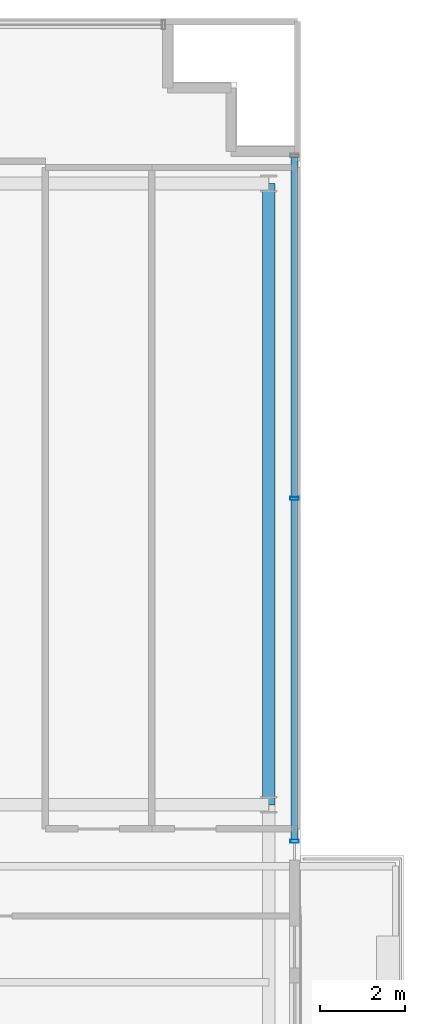
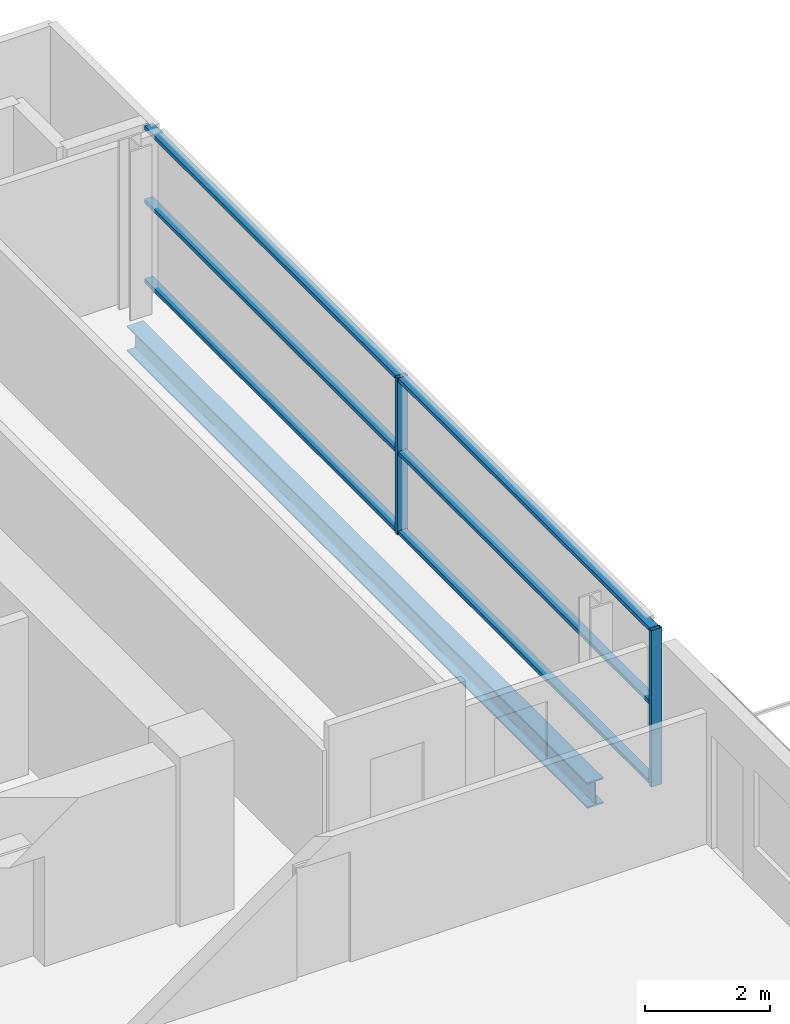
# One storey, part 11 of 23: 8 members, 1 beam, 1 element without a shape of its own.
"""IFC4 building model written with IfcOpenShell, lengths in metres."""

from ifc_helpers import new_model, si_unit, direction, frame, origin, origin_2d, place, context, subcontext, project, spatial, hollow_rectangle, i_section, extrude, source, transform, mapped, material, layer, layer_set, material_profile, profile_set, type_object, element, aggregate, save


model = new_model("IFC4")

# Units and contexts
model_context = context("Model", 3, precision=1e-05, world=origin(), true_north=direction((0.0, 1.0)))
body_context = subcontext(model_context, "Body", "Model", "MODEL_VIEW")
ifc_project = project(units=[si_unit("LENGTHUNIT", "METRE"), si_unit("AREAUNIT", "SQUARE_METRE"), si_unit("VOLUMEUNIT", "CUBIC_METRE"), si_unit("PLANEANGLEUNIT", "RADIAN"), si_unit("MASSUNIT", "GRAM", prefix="KILO")], contexts=[model_context])

# Site, building, storey
site_placement = place(None, origin())
site = spatial("IfcSite", under=ifc_project, at=site_placement, CompositionType="ELEMENT")
building_placement = place(site_placement, origin())
building = spatial("IfcBuilding", under=site, at=building_placement, Name="Zarnakvel Exchange Tower", CompositionType="ELEMENT")
storey_placement = place(building_placement, frame((0.0, 0.0, 149.5)))
storey = spatial("IfcBuildingStorey", under=building, at=storey_placement, Name="L41", CompositionType="ELEMENT", Elevation=149.5)

# Beam
ifc_material_1 = material(Name="Steel S355", Category="steel")
ifc_material_profile_1 = material_profile(ifc_material_1, i_section(OverallWidth=0.300048828125, OverallDepth=0.5, WebThickness=0.014404296875, FlangeThickness=0.028076171875, FilletRadius=0.027099609375, at=origin_2d()))
ifc_profile_set_1 = profile_set([ifc_material_profile_1], Name="Steel S355")
beam_type = type_object("IfcBeamType", Name="SP-02", PredefinedType="SPANDREL", material=ifc_profile_set_1)
beam_placement = place(storey_placement, frame((21.85009765625, -1.199951171875, -0.47509765625), z_axis=(0.0, 1.0, 0.0), x_axis=(-1.0, 0.0, 0.0)))
element("IfcBeam", 1, at=beam_placement, inside=storey, type_object=beam_type, Name="L41 Tower N-S Frame Beam", PredefinedType="SPANDREL", context=body_context, shape_type="SweptSolid", body=[
    extrude(i_section(OverallWidth=0.300048828125, OverallDepth=0.5, WebThickness=0.014404296875, FlangeThickness=0.028076171875, FilletRadius=0.027099609375, at=origin_2d()), origin(), (0.0, 0.0, 1.0), 14.699951171875),
])

# Curtain wall, members
ifc_material_2 = material(Name="Architectural Bronze Anodised Aluminium", Category="aluminium")
ifc_layer = layer(ifc_material_2, 0.199951171875)
ifc_layer_set = layer_set([ifc_layer], Name="Architectural Bronze Anodised Aluminium")
curtain_wall_type = type_object("IfcCurtainWallType", Name="CW-04", PredefinedType="NOTDEFINED", material=ifc_layer_set)
curtain_wall_placement = place(storey_placement, origin())
curtain_wall = element("IfcCurtainWall", 2, at=curtain_wall_placement, inside=storey, type_object=curtain_wall_type, Name="L41 Curtain Wall CW-L41-EN (CW-04)", PredefinedType="NOTDEFINED")
ifc_material_profile_2 = material_profile(ifc_material_2, hollow_rectangle(XDim=0.199951171875, YDim=0.074951171875, WallThickness=0.0048828125, at=origin_2d()))
ifc_profile_set_2 = profile_set([ifc_material_profile_2], Name="Architectural Bronze Anodised Aluminium")
member_type_1 = type_object("IfcMemberType", Name="CWM-04", PredefinedType="MULLION", material=ifc_profile_set_2)
shared_shape_1 = source(origin(), body_context, "Body", "SweptSolid", [
    extrude(hollow_rectangle(XDim=0.199951171875, YDim=0.074951171875, WallThickness=0.0048828125, at=origin_2d()), origin(), (0.0, 0.0, 1.0), 3.054931640625),
])
member_1_placement = place(storey_placement, frame((22.4599609375, -2.0625, 0.0), z_axis=(0.0, 0.0, 1.0), x_axis=(-1.0, 0.0, 0.0)))
member_1 = element("IfcMember", 3, at=member_1_placement, type_object=member_type_1, Name="CW-04 mullion 1", PredefinedType="MULLION", context=body_context, shape_type="MappedRepresentation", body=[
    mapped(shared_shape_1, transform((0.0, 0.0, 0.0), x_axis=(1.0, 0.0, 0.0), y_axis=(0.0, 1.0, 0.0), z_axis=(0.0, 0.0, 1.0), scale=1.0)),
])
member_2_placement = place(storey_placement, frame((22.4599609375, 6.050048828125, 0.0), z_axis=(0.0, 0.0, 1.0), x_axis=(-1.0, 0.0, 0.0)))
member_2 = element("IfcMember", 4, at=member_2_placement, type_object=member_type_1, Name="CW-04 mullion 2", PredefinedType="MULLION", context=body_context, shape_type="MappedRepresentation", body=[
    mapped(shared_shape_1, transform((0.0, 0.0, 0.0), x_axis=(1.0, 0.0, 0.0), y_axis=(0.0, 1.0, 0.0), z_axis=(0.0, 0.0, 1.0), scale=1.0)),
])
ifc_material_profile_3 = material_profile(ifc_material_2, hollow_rectangle(XDim=0.159912109375, YDim=0.074951171875, WallThickness=0.00390625, at=origin_2d()))
ifc_profile_set_3 = profile_set([ifc_material_profile_3], Name="Architectural Bronze Anodised Aluminium")
member_type_2 = type_object("IfcMemberType", Name="CWT-04", PredefinedType="USERDEFINED", material=ifc_profile_set_3)
shared_shape_2 = source(origin(), body_context, "Body", "SweptSolid", [
    extrude(hollow_rectangle(XDim=0.159912109375, YDim=0.074951171875, WallThickness=0.00390625, at=origin_2d()), origin(), (0.0, 0.0, 1.0), 8.037353515625),
])
member_3_placement = place(storey_placement, frame((22.4599609375, -2.02490234375, 0.03759765625), z_axis=(0.0, 1.0, 0.0), x_axis=(-1.0, 0.0, 0.0)))
member_3 = element("IfcMember", 5, at=member_3_placement, type_object=member_type_2, Name="CW-04 transom 1.1", ObjectType="TRANSOM", PredefinedType="USERDEFINED", context=body_context, shape_type="MappedRepresentation", body=[
    mapped(shared_shape_2, transform((0.0, 0.0, 0.0), x_axis=(1.0, 0.0, 0.0), y_axis=(0.0, 1.0, 0.0), z_axis=(0.0, 0.0, 1.0), scale=1.0)),
])
member_4_placement = place(storey_placement, frame((22.4599609375, -2.02490234375, 1.588623046875), z_axis=(0.0, 1.0, 0.0), x_axis=(-1.0, 0.0, 0.0)))
member_4 = element("IfcMember", 6, at=member_4_placement, type_object=member_type_2, Name="CW-04 transom 1.2", ObjectType="TRANSOM", PredefinedType="USERDEFINED", context=body_context, shape_type="MappedRepresentation", body=[
    mapped(shared_shape_2, transform((0.0, 0.0, 0.0), x_axis=(1.0, 0.0, 0.0), y_axis=(0.0, 1.0, 0.0), z_axis=(0.0, 0.0, 1.0), scale=1.0)),
])
member_5_placement = place(storey_placement, frame((22.4599609375, -2.02490234375, 3.017578125), z_axis=(0.0, 1.0, 0.0), x_axis=(-1.0, 0.0, 0.0)))
member_5 = element("IfcMember", 7, at=member_5_placement, type_object=member_type_2, Name="CW-04 transom 1.3", ObjectType="TRANSOM", PredefinedType="USERDEFINED", context=body_context, shape_type="MappedRepresentation", body=[
    mapped(shared_shape_2, transform((0.0, 0.0, 0.0), x_axis=(1.0, 0.0, 0.0), y_axis=(0.0, 1.0, 0.0), z_axis=(0.0, 0.0, 1.0), scale=1.0)),
])
shared_shape_3 = source(origin(), body_context, "Body", "SweptSolid", [
    extrude(hollow_rectangle(XDim=0.159912109375, YDim=0.074951171875, WallThickness=0.00390625, at=origin_2d()), origin(), (0.0, 0.0, 1.0), 8.03759765625),
])
member_6_placement = place(storey_placement, frame((22.4599609375, 6.08740234375, 0.03759765625), z_axis=(0.0, 1.0, 0.0), x_axis=(-1.0, 0.0, 0.0)))
member_6 = element("IfcMember", 8, at=member_6_placement, type_object=member_type_2, Name="CW-04 transom 2.1", ObjectType="TRANSOM", PredefinedType="USERDEFINED", context=body_context, shape_type="MappedRepresentation", body=[
    mapped(shared_shape_3, transform((0.0, 0.0, 0.0), x_axis=(1.0, 0.0, 0.0), y_axis=(0.0, 1.0, 0.0), z_axis=(0.0, 0.0, 1.0), scale=1.0)),
])
member_7_placement = place(storey_placement, frame((22.4599609375, 6.08740234375, 1.588623046875), z_axis=(0.0, 1.0, 0.0), x_axis=(-1.0, 0.0, 0.0)))
member_7 = element("IfcMember", 9, at=member_7_placement, type_object=member_type_2, Name="CW-04 transom 2.2", ObjectType="TRANSOM", PredefinedType="USERDEFINED", context=body_context, shape_type="MappedRepresentation", body=[
    mapped(shared_shape_3, transform((0.0, 0.0, 0.0), x_axis=(1.0, 0.0, 0.0), y_axis=(0.0, 1.0, 0.0), z_axis=(0.0, 0.0, 1.0), scale=1.0)),
])
member_8_placement = place(storey_placement, frame((22.4599609375, 6.08740234375, 3.017578125), z_axis=(0.0, 1.0, 0.0), x_axis=(-1.0, 0.0, 0.0)))
member_8 = element("IfcMember", 10, at=member_8_placement, type_object=member_type_2, Name="CW-04 transom 2.3", ObjectType="TRANSOM", PredefinedType="USERDEFINED", context=body_context, shape_type="MappedRepresentation", body=[
    mapped(shared_shape_3, transform((0.0, 0.0, 0.0), x_axis=(1.0, 0.0, 0.0), y_axis=(0.0, 1.0, 0.0), z_axis=(0.0, 0.0, 1.0), scale=1.0)),
])
aggregate(curtain_wall, [member_1, member_2, member_3, member_4, member_5, member_6, member_7, member_8])

save(model, "model.ifc")
